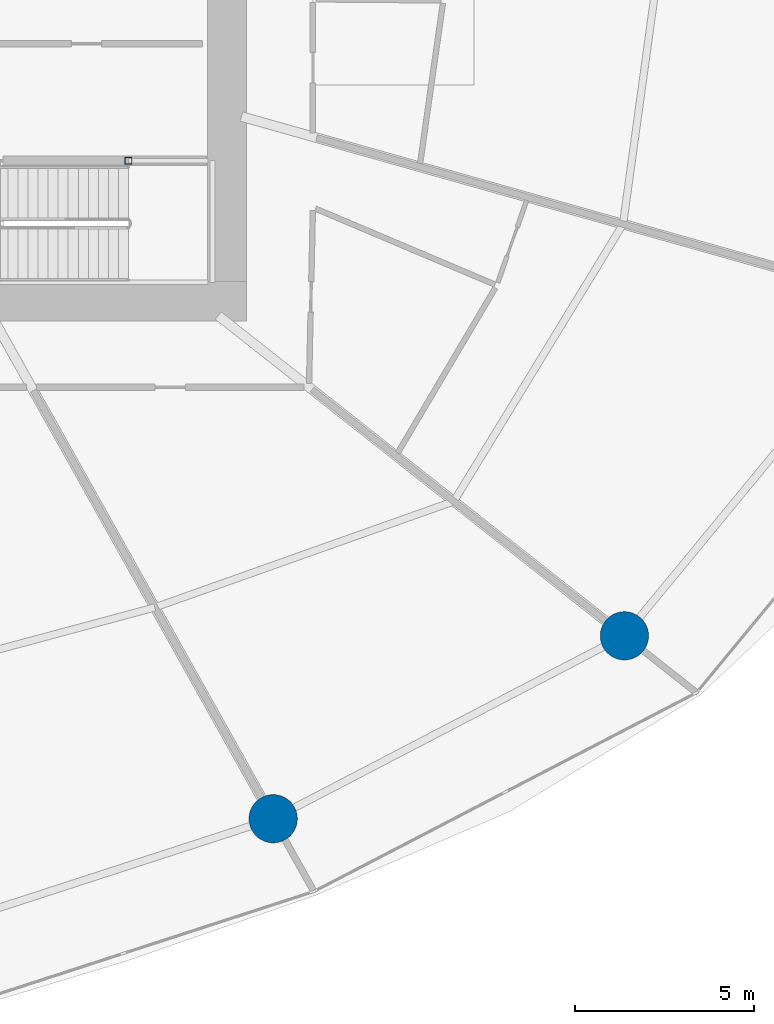
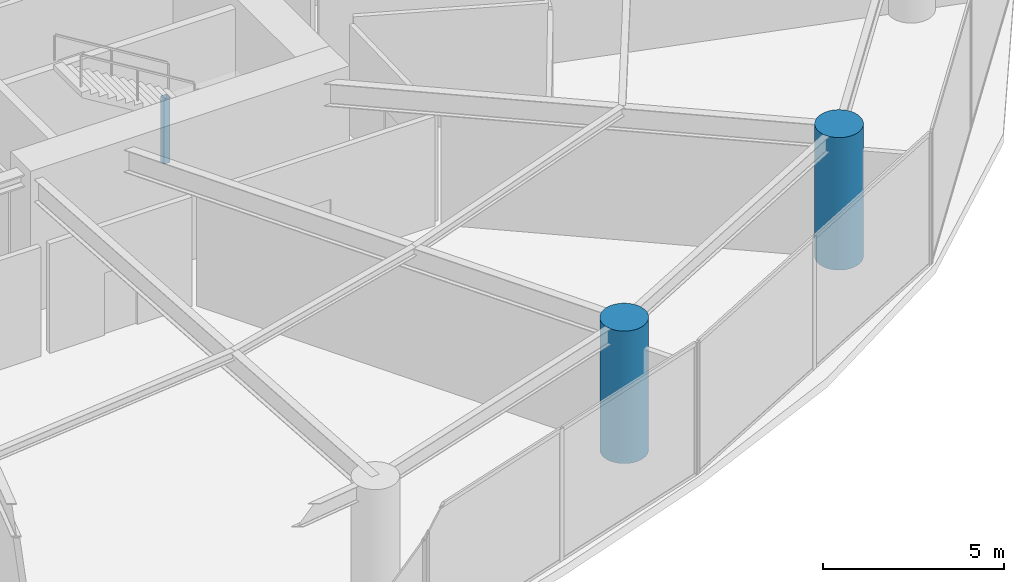
# One storey, part 3 of 22: 3 columns.
"""IFC4 building model written with IfcOpenShell, lengths in metres."""

from ifc_helpers import new_model, si_unit, direction, frame, origin, origin_2d, place, context, subcontext, project, spatial, hollow_rectangle, circle, extrude, material, material_profile, profile_set, type_object, element, save


model = new_model("IFC4")

# Units and contexts
model_context = context("Model", 3, precision=1e-05, world=origin(), true_north=direction((0.0, 1.0)))
body_context = subcontext(model_context, "Body", "Model", "MODEL_VIEW")
ifc_project = project(units=[si_unit("LENGTHUNIT", "METRE"), si_unit("AREAUNIT", "SQUARE_METRE"), si_unit("VOLUMEUNIT", "CUBIC_METRE"), si_unit("PLANEANGLEUNIT", "RADIAN"), si_unit("MASSUNIT", "GRAM", prefix="KILO")], contexts=[model_context])

# Site, building, storey
site_placement = place(None, origin())
site = spatial("IfcSite", under=ifc_project, at=site_placement, CompositionType="ELEMENT")
building_placement = place(site_placement, origin())
building = spatial("IfcBuilding", under=site, at=building_placement, Name="Kazma Halo Residences", CompositionType="ELEMENT")
storey_placement = place(building_placement, frame((0.0, 0.0, 12.0)))
storey = spatial("IfcBuildingStorey", under=building, at=storey_placement, Name="L02", CompositionType="ELEMENT", Elevation=12.0)

# Columns
ifc_material_1 = material(Name="Steel S355", Category="steel")
ifc_material_profile_1 = material_profile(ifc_material_1, hollow_rectangle(XDim=0.199951171875, YDim=0.199951171875, WallThickness=0.010009765625, InnerFilletRadius=0.010009765625, OuterFilletRadius=0.02001953125, at=origin_2d()), Name="SHS200x200x10")
ifc_profile_set_1 = profile_set([ifc_material_profile_1], Name="Steel S355")
column_type_1 = type_object("IfcColumnType", Name="COL-LP-SHS200", PredefinedType="COLUMN", material=ifc_profile_set_1)
column_placement = place(storey_placement, frame((56.840087890625, 37.3798828125, 0.0), z_axis=(0.0, 0.0, 1.0), x_axis=(1.0, 0.0, 0.0)))
element("IfcColumn", 1, at=column_placement, inside=storey, type_object=column_type_1, Name="L02 ST-03 landing pilaster 1", PredefinedType="COLUMN", context=body_context, shape_type="SweptSolid", body=[
    extrude(hollow_rectangle(XDim=0.199951171875, YDim=0.199951171875, WallThickness=0.010009765625, InnerFilletRadius=0.010009765625, OuterFilletRadius=0.02001953125, at=origin_2d()), origin(), (0.0, 0.0, 1.0), 2.195068359375),
])
ifc_material_2 = material(Name="Concrete C80/95", Category="concrete")
ifc_material_profile_2 = material_profile(ifc_material_2, circle(Radius=0.675048828125, at=origin_2d()), Name="CIRC1350")
ifc_profile_set_2 = profile_set([ifc_material_profile_2], Name="Concrete C80/95")
column_type_2 = type_object("IfcColumnType", Name="COL-PERIM-1350", PredefinedType="COLUMN", material=ifc_profile_set_2)
for number, where, z_axis, x_axis, name in (
    (2, (60.889404296875, 18.984375, 0.0), (0.0, 0.0, 1.0), (1.0, 0.0, 0.0), "L02 perimeter ring column P13"),
    (3, (70.708984375, 24.09765625, 0.0), (0.0, 0.0, 1.0), (1.0, 0.0, 0.0), "L02 perimeter ring column P14"),
):
    element("IfcColumn", number, at=place(storey_placement, frame(where, z_axis=z_axis, x_axis=x_axis)), inside=storey, type_object=column_type_2, Name=name, PredefinedType="COLUMN", context=body_context, shape_type="SweptSolid", body=[
        extrude(circle(Radius=0.675048828125, at=origin_2d()), origin(), (0.0, 0.0, 1.0), 4.47998046875),
    ])

save(model, "model.ifc")
